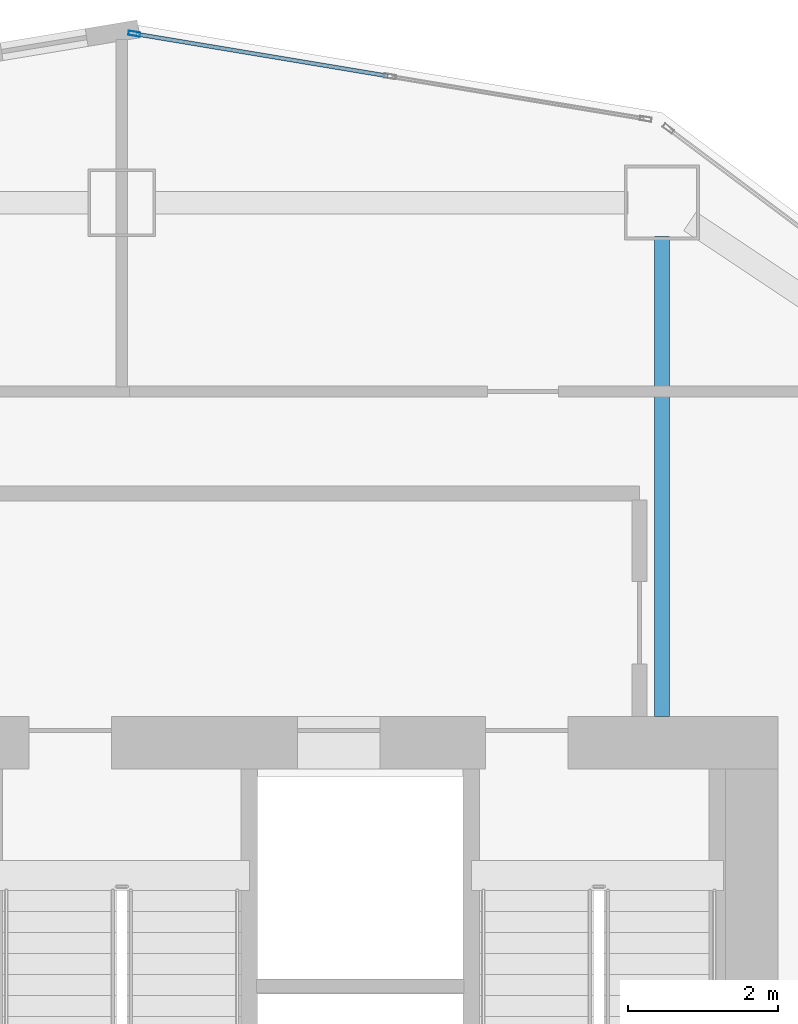
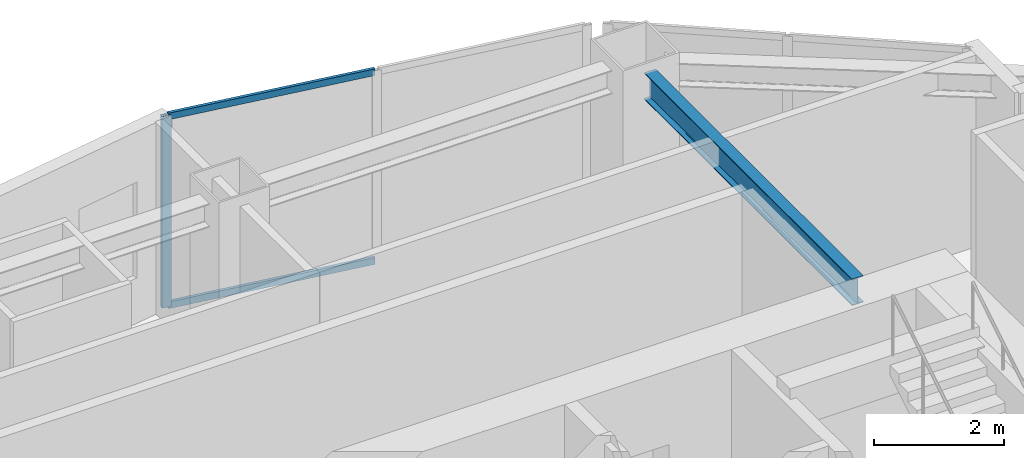
# One storey, part 2 of 15: 3 members, 1 beam, 1 element without a shape of its own.
"""IFC4 building model written with IfcOpenShell, lengths in metres."""

from ifc_helpers import new_model, si_unit, direction, frame, origin, origin_2d, place, context, subcontext, project, spatial, hollow_rectangle, i_section, extrude, material, layer, layer_set, material_profile, profile_set, type_object, element, aggregate, save


model = new_model("IFC4")

# Units and contexts
model_context = context("Model", 3, precision=1e-05, world=origin(), true_north=direction((0.0, 1.0)))
body_context = subcontext(model_context, "Body", "Model", "MODEL_VIEW")
ifc_project = project(units=[si_unit("LENGTHUNIT", "METRE"), si_unit("AREAUNIT", "SQUARE_METRE"), si_unit("VOLUMEUNIT", "CUBIC_METRE"), si_unit("PLANEANGLEUNIT", "RADIAN"), si_unit("MASSUNIT", "GRAM", prefix="KILO")], contexts=[model_context])

# Site, building, storey
site_placement = place(None, origin())
site = spatial("IfcSite", under=ifc_project, at=site_placement, CompositionType="ELEMENT")
building_placement = place(site_placement, origin())
building = spatial("IfcBuilding", under=site, at=building_placement, Name="Haolan Belvedere Tower", CompositionType="ELEMENT")
storey_placement = place(building_placement, frame((0.0, 0.0, 152.39990234375)))
storey = spatial("IfcBuildingStorey", under=building, at=storey_placement, Name="L38", CompositionType="ELEMENT", Elevation=152.39990234375)

# Beam
ifc_material_1 = material(Name="Steel Q355B", Category="steel")
ifc_material_profile_1 = material_profile(ifc_material_1, i_section(OverallWidth=0.199951171875, OverallDepth=0.5, WebThickness=0.010009765625, FlangeThickness=0.01611328125, FilletRadius=0.02001953125, at=origin_2d()), Name="Steel Q355B")
ifc_profile_set_1 = profile_set([ifc_material_profile_1], Name="Steel Q355B")
beam_type = type_object("IfcBeamType", Name="BM-HN500x200x10x16", PredefinedType="BEAM", material=ifc_profile_set_1)
beam_placement = place(storey_placement, frame((45.60009765625, 49.949951171875, 3.35009765625), z_axis=(0.0, -1.0, 0.0), x_axis=(1.0, 0.0, 0.0)))
element("IfcBeam", 1, at=beam_placement, inside=storey, type_object=beam_type, Name="L38 core tie beam from MC-T3-N2", PredefinedType="BEAM", context=body_context, shape_type="SweptSolid", body=[
    extrude(i_section(OverallWidth=0.199951171875, OverallDepth=0.5, WebThickness=0.010009765625, FlangeThickness=0.01611328125, FilletRadius=0.02001953125, at=origin_2d()), origin(), (0.0, 0.0, 1.0), 6.39990234375),
])

# Curtain wall, members
ifc_material_2 = material(Name="Anodised champagne-silver aluminium 6063-T6 and Low-E glass", Category="aluminium")
ifc_layer = layer(ifc_material_2, 0.155029296875, Name="Anodised champagne-silver aluminium 6063-T6 and Low-E glass")
ifc_layer_set = layer_set([ifc_layer], Name="Anodised champagne-silver aluminium 6063-T6 and Low-E glass")
curtain_wall_type = type_object("IfcCurtainWallType", Name="CW-SYS-03", PredefinedType="NOTDEFINED", material=ifc_layer_set)
curtain_wall_placement = place(storey_placement, origin())
curtain_wall = element("IfcCurtainWall", 2, at=curtain_wall_placement, inside=storey, type_object=curtain_wall_type, Name="L38 CW-SYS-03 ribbon curtain wall 27.1", PredefinedType="NOTDEFINED")
ifc_material_3 = material(Name="Anodised aluminium 6063-T6", Category="aluminium")
ifc_material_profile_2 = material_profile(ifc_material_3, hollow_rectangle(XDim=0.05810546875, YDim=0.155029296875, WallThickness=0.00390625, at=origin_2d()), Name="Anodised aluminium 6063-T6")
ifc_profile_set_2 = profile_set([ifc_material_profile_2], Name="Anodised aluminium 6063-T6")
member_type_1 = type_object("IfcMemberType", Name="CW-SYS-03-MUL", PredefinedType="MULLION", material=ifc_profile_set_2)
member_1_placement = place(storey_placement, frame((38.566650390625, 52.650634765625, 0.0), z_axis=(0.0, 0.0, 1.0), x_axis=(-0.16440364043, -0.9863931483, 0.0)))
member_1 = element("IfcMember", 3, at=member_1_placement, type_object=member_type_1, Name="CW-03 mullion 3", PredefinedType="MULLION", context=body_context, shape_type="SweptSolid", body=[
    extrude(hollow_rectangle(XDim=0.05810546875, YDim=0.155029296875, WallThickness=0.00390625, at=origin_2d()), origin(), (0.0, 0.0, 1.0), 3.60009765625),
])
ifc_material_profile_3 = material_profile(ifc_material_3, hollow_rectangle(XDim=0.053955078125, YDim=0.125, WallThickness=0.00390625, at=origin_2d()), Name="Anodised aluminium 6063-T6")
ifc_profile_set_3 = profile_set([ifc_material_profile_3], Name="Anodised aluminium 6063-T6")
member_type_2 = type_object("IfcMemberType", Name="CW-SYS-03-TRN", PredefinedType="USERDEFINED", material=ifc_profile_set_3)
member_2_placement = place(storey_placement, frame((41.947021484375, 52.087158203125, 0.027099609375), z_axis=(-0.986395865591, 0.16438733633, 0.0), x_axis=(-0.16438733633, -0.986395865591, 0.0)))
member_2 = element("IfcMember", 4, at=member_2_placement, type_object=member_type_2, Name="CW-03 transom 2.1", ObjectType="TRANSOM", PredefinedType="USERDEFINED", context=body_context, shape_type="SweptSolid", body=[
    extrude(hollow_rectangle(XDim=0.053955078125, YDim=0.125, WallThickness=0.00390625, at=origin_2d()), origin(), (0.0, 0.0, 1.0), 3.39794921875),
])
member_3_placement = place(storey_placement, frame((41.947021484375, 52.087158203125, 3.572998046875), z_axis=(-0.986395865591, 0.16438733633, 0.0), x_axis=(-0.16438733633, -0.986395865591, 0.0)))
member_3 = element("IfcMember", 5, at=member_3_placement, type_object=member_type_2, Name="CW-03 transom 2.2", ObjectType="TRANSOM", PredefinedType="USERDEFINED", context=body_context, shape_type="SweptSolid", body=[
    extrude(hollow_rectangle(XDim=0.053955078125, YDim=0.125, WallThickness=0.00390625, at=origin_2d()), origin(), (0.0, 0.0, 1.0), 3.39794921875),
])
aggregate(curtain_wall, [member_1, member_2, member_3])

save(model, "model.ifc")
